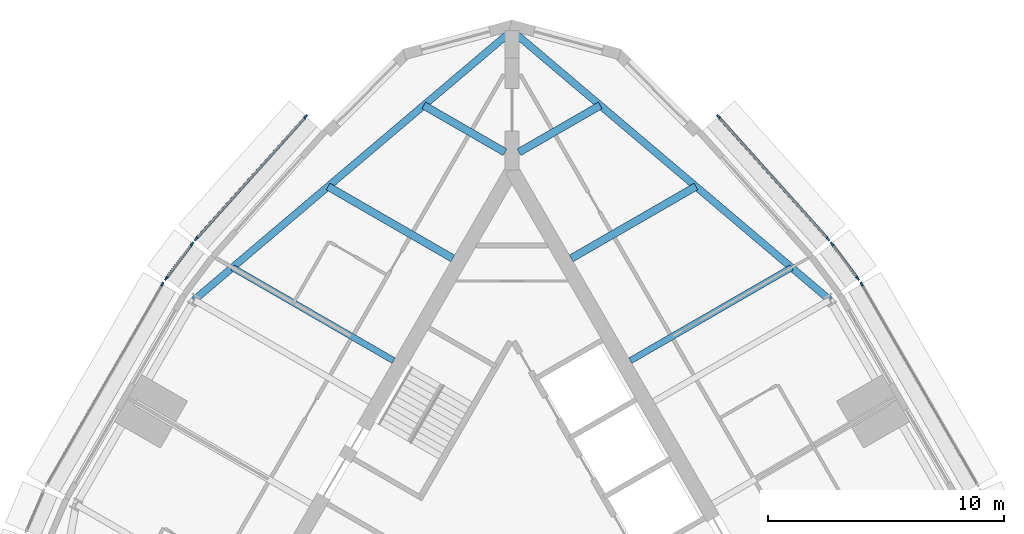
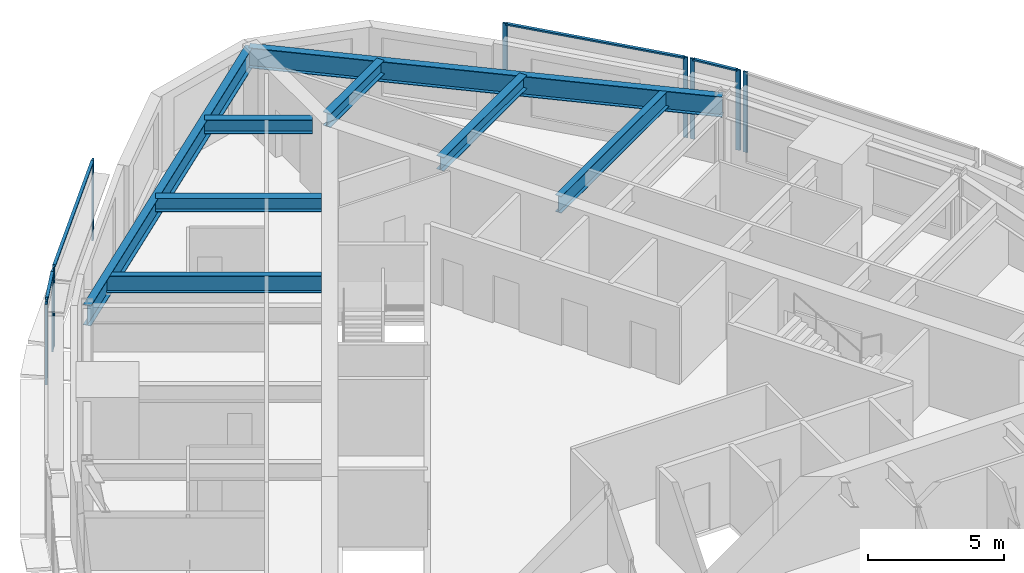
# One storey, part 5 of 12: 14 members, 8 beams, 6 elements without a shape of their own.
"""IFC4 building model written with IfcOpenShell, lengths in metres."""

from ifc_helpers import new_model, si_unit, direction, frame, origin, origin_2d, place, context, subcontext, project, spatial, rectangle, i_section, extrude, material, material_profile, profile_set, type_object, element, aggregate, save


model = new_model("IFC4")

# Units and contexts
model_context = context("Model", 3, precision=1e-05, world=origin(), true_north=direction((0.0, 1.0)))
body_context = subcontext(model_context, "Body", "Model", "MODEL_VIEW")
ifc_project = project(units=[si_unit("LENGTHUNIT", "METRE"), si_unit("AREAUNIT", "SQUARE_METRE"), si_unit("VOLUMEUNIT", "CUBIC_METRE"), si_unit("PLANEANGLEUNIT", "RADIAN"), si_unit("MASSUNIT", "GRAM", prefix="KILO")], contexts=[model_context])

# Site, building, storey
site_placement = place(None, origin())
site = spatial("IfcSite", under=ifc_project, at=site_placement, CompositionType="ELEMENT")
building_placement = place(site_placement, origin())
building = spatial("IfcBuilding", under=site, at=building_placement, Name="Trikona Tower", CompositionType="ELEMENT")
storey_placement = place(building_placement, frame((0.0, 0.0, 257.300048828125)))
storey = spatial("IfcBuildingStorey", under=building, at=storey_placement, Name="L68", CompositionType="ELEMENT", Elevation=257.300048828125)

# Curtain wall, member
ifc_material_1 = material(Name="Aluminium curtain wall system", Category="aluminium")
curtain_wall_type = type_object("IfcCurtainWallType", Name="Curtain wall DS3", PredefinedType="NOTDEFINED", material=ifc_material_1)
curtain_wall_1_placement = place(storey_placement, origin())
curtain_wall_1 = element("IfcCurtainWall", 1, at=curtain_wall_1_placement, inside=storey, type_object=curtain_wall_type, Name="Curtain wall DS3 L68", PredefinedType="NOTDEFINED")
ifc_material_2 = material(Name="Aluminium mullion, pale anodised", Category="aluminium")
ifc_material_profile_1 = material_profile(ifc_material_2, rectangle(XDim=0.070068359375, YDim=0.179931640625, at=origin_2d()), Name="MUL-DS3")
ifc_profile_set_1 = profile_set([ifc_material_profile_1], Name="Aluminium mullion, pale anodised")
member_type_1 = type_object("IfcMemberType", Name="Mullion DS3 70x180", PredefinedType="MULLION", material=ifc_profile_set_1)
member_1_placement = place(storey_placement, frame((14.807861328125, 14.213134765625, 0.0), z_axis=(0.0, 0.0, 1.0), x_axis=(-0.866024619633, -0.500001358187, 0.0)))
member_1 = element("IfcMember", 2, at=member_1_placement, type_object=member_type_1, Name="CW-DS3 mullion 2", PredefinedType="MULLION", context=body_context, shape_type="SweptSolid", body=[
    extrude(rectangle(XDim=0.070068359375, YDim=0.179931640625, at=origin_2d()), origin(), (0.0, 0.0, 1.0), 3.599853515625),
])
aggregate(curtain_wall_1, [member_1])

# Curtain wall, members
curtain_wall_2_placement = place(storey_placement, origin())
curtain_wall_2 = element("IfcCurtainWall", 3, at=curtain_wall_2_placement, inside=storey, type_object=curtain_wall_type, Name="Curtain wall DS3 L68", PredefinedType="NOTDEFINED")
member_2_placement = place(storey_placement, frame((14.644287109375, 14.461181640625, 0.0), z_axis=(0.0, 0.0, 1.0), x_axis=(-0.800259657055, -0.599653634435, 0.0)))
member_2 = element("IfcMember", 4, at=member_2_placement, type_object=member_type_1, Name="CW-DS3 mullion 1", PredefinedType="MULLION", context=body_context, shape_type="SweptSolid", body=[
    extrude(rectangle(XDim=0.070068359375, YDim=0.179931640625, at=origin_2d()), origin(), (0.0, 0.0, 1.0), 3.599853515625),
])
member_3_placement = place(storey_placement, frame((13.55029296875, 15.9208984375, 0.0), z_axis=(0.0, 0.0, 1.0), x_axis=(-0.800259657055, -0.599653634435, 0.0)))
member_3 = element("IfcMember", 5, at=member_3_placement, type_object=member_type_1, Name="CW-DS3 mullion 2", PredefinedType="MULLION", context=body_context, shape_type="SweptSolid", body=[
    extrude(rectangle(XDim=0.070068359375, YDim=0.179931640625, at=origin_2d()), origin(), (0.0, 0.0, 1.0), 3.599853515625),
])

curtain_wall_3_placement = place(storey_placement, origin())
curtain_wall_3 = element("IfcCurtainWall", 6, at=curtain_wall_3_placement, inside=storey, type_object=curtain_wall_type, Name="Curtain wall DS3 L68", PredefinedType="NOTDEFINED")
member_4_placement = place(storey_placement, frame((13.380126953125, 16.128662109375, 0.0), z_axis=(0.0, 0.0, 1.0), x_axis=(-0.744771436797, -0.667319643748, 0.0)))
member_4 = element("IfcMember", 7, at=member_4_placement, type_object=member_type_1, Name="CW-DS3 mullion 1", PredefinedType="MULLION", context=body_context, shape_type="SweptSolid", body=[
    extrude(rectangle(XDim=0.070068359375, YDim=0.179931640625, at=origin_2d()), origin(), (0.0, 0.0, 1.0), 3.599853515625),
])
member_5_placement = place(storey_placement, frame((8.733642578125, 21.314453125, 0.0), z_axis=(0.0, 0.0, 1.0), x_axis=(-0.744771436797, -0.667319643748, 0.0)))
member_5 = element("IfcMember", 8, at=member_5_placement, type_object=member_type_1, Name="CW-DS3 mullion 2", PredefinedType="MULLION", context=body_context, shape_type="SweptSolid", body=[
    extrude(rectangle(XDim=0.070068359375, YDim=0.179931640625, at=origin_2d()), origin(), (0.0, 0.0, 1.0), 3.599853515625),
])

curtain_wall_4_placement = place(storey_placement, origin())
curtain_wall_4 = element("IfcCurtainWall", 9, at=curtain_wall_4_placement, inside=storey, type_object=curtain_wall_type, Name="Curtain wall DS3 L68", PredefinedType="NOTDEFINED")
member_6_placement = place(storey_placement, frame((-8.733642578125, 21.314453125, 0.0), z_axis=(0.0, 0.0, 1.0), x_axis=(0.744771436797, -0.667319643748, 0.0)))
member_6 = element("IfcMember", 10, at=member_6_placement, type_object=member_type_1, Name="CW-DS3 mullion 1", PredefinedType="MULLION", context=body_context, shape_type="SweptSolid", body=[
    extrude(rectangle(XDim=0.070068359375, YDim=0.179931640625, at=origin_2d()), origin(), (0.0, 0.0, 1.0), 3.599853515625),
])
member_7_placement = place(storey_placement, frame((-13.380126953125, 16.128662109375, 0.0), z_axis=(0.0, 0.0, 1.0), x_axis=(0.744771436797, -0.667319643748, 0.0)))
member_7 = element("IfcMember", 11, at=member_7_placement, type_object=member_type_1, Name="CW-DS3 mullion 2", PredefinedType="MULLION", context=body_context, shape_type="SweptSolid", body=[
    extrude(rectangle(XDim=0.070068359375, YDim=0.179931640625, at=origin_2d()), origin(), (0.0, 0.0, 1.0), 3.599853515625),
])

curtain_wall_5_placement = place(storey_placement, origin())
curtain_wall_5 = element("IfcCurtainWall", 12, at=curtain_wall_5_placement, inside=storey, type_object=curtain_wall_type, Name="Curtain wall DS3 L68", PredefinedType="NOTDEFINED")
member_8_placement = place(storey_placement, frame((-13.55029296875, 15.9208984375, 0.0), z_axis=(0.0, 0.0, 1.0), x_axis=(0.800259657055, -0.599653634435, 0.0)))
member_8 = element("IfcMember", 13, at=member_8_placement, type_object=member_type_1, Name="CW-DS3 mullion 1", PredefinedType="MULLION", context=body_context, shape_type="SweptSolid", body=[
    extrude(rectangle(XDim=0.070068359375, YDim=0.179931640625, at=origin_2d()), origin(), (0.0, 0.0, 1.0), 3.599853515625),
])
member_9_placement = place(storey_placement, frame((-14.644287109375, 14.461181640625, 0.0), z_axis=(0.0, 0.0, 1.0), x_axis=(0.800259657055, -0.599653634435, 0.0)))
member_9 = element("IfcMember", 14, at=member_9_placement, type_object=member_type_1, Name="CW-DS3 mullion 2", PredefinedType="MULLION", context=body_context, shape_type="SweptSolid", body=[
    extrude(rectangle(XDim=0.070068359375, YDim=0.179931640625, at=origin_2d()), origin(), (0.0, 0.0, 1.0), 3.599853515625),
])

# Curtain wall, member
curtain_wall_6_placement = place(storey_placement, origin())
curtain_wall_6 = element("IfcCurtainWall", 15, at=curtain_wall_6_placement, inside=storey, type_object=curtain_wall_type, Name="Curtain wall DS3 L68", PredefinedType="NOTDEFINED")
member_10_placement = place(storey_placement, frame((-14.807861328125, 14.213134765625, 0.0), z_axis=(0.0, 0.0, 1.0), x_axis=(0.866024619633, -0.500001358187, 0.0)))
member_10 = element("IfcMember", 16, at=member_10_placement, type_object=member_type_1, Name="CW-DS3 mullion 1", PredefinedType="MULLION", context=body_context, shape_type="SweptSolid", body=[
    extrude(rectangle(XDim=0.070068359375, YDim=0.179931640625, at=origin_2d()), origin(), (0.0, 0.0, 1.0), 3.599853515625),
])
aggregate(curtain_wall_6, [member_10])

# Beams
ifc_material_3 = material(Name="Steel ASTM A992 Grade 50", Category="steel")
ifc_material_profile_2 = material_profile(ifc_material_3, i_section(OverallWidth=0.3251953125, OverallDepth=0.612060546875, WebThickness=0.0126953125, FlangeThickness=0.01904296875, at=origin_2d()), Name="W24X104")
ifc_profile_set_2 = profile_set([ifc_material_profile_2], Name="Steel ASTM A992 Grade 50")
beam_type_1 = type_object("IfcBeamType", Name="Steel beam W24x104 (wedge upper)", PredefinedType="BEAM", material=ifc_profile_set_2)
beam_1_placement = place(storey_placement, frame((2.509765625, 15.305419921875, 3.12890625), z_axis=(0.866023498866, 0.500003299401, 0.0), x_axis=(-0.500003299401, 0.866023498866, 0.0)))
element("IfcBeam", 17, at=beam_1_placement, inside=storey, type_object=beam_type_1, Name="Floor beam L69 F2 u12", PredefinedType="BEAM", context=body_context, shape_type="SweptSolid", body=[
    extrude(i_section(OverallWidth=0.3251953125, OverallDepth=0.612060546875, WebThickness=0.0126953125, FlangeThickness=0.01904296875, at=origin_2d()), origin(), (0.0, 0.0, 1.0), 6.09521484375),
])
for number, where, z_axis, x_axis, name in (
    (18, (0.300048828125, 19.802978515625, 3.12890625), (0.866004223388, 0.500036683728, 0.0), (-0.500036683728, 0.866004223388, 0.0), "Floor beam L69 F2 u17"),
    (19, (-0.300048828125, 19.802978515625, 3.12890625), (-0.866004223388, 0.500036683728, 0.0), (-0.500036683728, -0.866004223388, 0.0), "Floor beam L69 F3 u-17"),
):
    element("IfcBeam", number, at=place(storey_placement, frame(where, z_axis=z_axis, x_axis=x_axis)), inside=storey, type_object=beam_type_1, Name=name, PredefinedType="BEAM", context=body_context, shape_type="SweptSolid", body=[
        extrude(i_section(OverallWidth=0.3251953125, OverallDepth=0.612060546875, WebThickness=0.0126953125, FlangeThickness=0.01904296875, at=origin_2d()), origin(), (0.0, 0.0, 1.0), 3.968017578125),
    ])
beam_2_placement = place(storey_placement, frame((-2.509765625, 15.305419921875, 3.12890625), z_axis=(-0.866023498866, 0.500003299401, 0.0), x_axis=(-0.500003299401, -0.866023498866, 0.0)))
element("IfcBeam", 20, at=beam_2_placement, inside=storey, type_object=beam_type_1, Name="Floor beam L69 F3 u-12", PredefinedType="BEAM", context=body_context, shape_type="SweptSolid", body=[
    extrude(i_section(OverallWidth=0.3251953125, OverallDepth=0.612060546875, WebThickness=0.0126953125, FlangeThickness=0.01904296875, at=origin_2d()), origin(), (0.0, 0.0, 1.0), 6.09521484375),
])
ifc_material_4 = material(Name="Steel ASTM A992 Grade 50", Category="steel")
ifc_material_profile_3 = material_profile(ifc_material_4, i_section(OverallWidth=0.2666015625, OverallDepth=0.7568359375, WebThickness=0.013916015625, FlangeThickness=0.019287109375, at=origin_2d()), Name="W30X108")
ifc_profile_set_3 = profile_set([ifc_material_profile_3], Name="Steel ASTM A992 Grade 50")
beam_type_2 = type_object("IfcBeamType", Name="Steel beam W30x108 (radial upper)", PredefinedType="BEAM", material=ifc_profile_set_3)
for number, where, z_axis, x_axis, name in (
    (21, (5.009765625, 10.975341796875, 3.056396484375), (0.866034560358, 0.499984140014, 0.0), (-0.499984140014, 0.866034560358, 0.0), "Floor beam L69 F2 u7"),
    (22, (-5.009765625, 10.975341796875, 3.056396484375), (-0.866034560358, 0.499984140014, 0.0), (-0.499984140014, -0.866034560358, 0.0), "Floor beam L69 F3 u-7"),
):
    element("IfcBeam", number, at=place(storey_placement, frame(where, z_axis=z_axis, x_axis=x_axis)), inside=storey, type_object=beam_type_2, Name=name, PredefinedType="BEAM", context=body_context, shape_type="SweptSolid", body=[
        extrude(i_section(OverallWidth=0.2666015625, OverallDepth=0.7568359375, WebThickness=0.013916015625, FlangeThickness=0.019287109375, at=origin_2d()), origin(), (0.0, 0.0, 1.0), 7.887451171875),
    ])
ifc_material_5 = material(Name="Steel ASTM A992 Grade 50", Category="steel")
ifc_material_profile_4 = material_profile(ifc_material_5, i_section(OverallWidth=0.3046875, OverallDepth=0.911865234375, WebThickness=0.015869140625, FlangeThickness=0.02392578125, at=origin_2d()), Name="W36X150")
ifc_profile_set_4 = profile_set([ifc_material_profile_4], Name="Steel ASTM A992 Grade 50")
beam_type_3 = type_object("IfcBeamType", Name="Steel beam W36x150 (spandrel upper)", PredefinedType="SPANDREL", material=ifc_profile_set_4)
for number, where, z_axis, x_axis, name in (
    (23, (13.461181640625, 13.54541015625, 2.97900390625), (-0.762890626803, 0.646527564405, 0.0), (-0.646527564405, -0.762890626803, 0.0), "Spandrel beam L69 F2-3"),
    (24, (0.0, 24.953369140625, 2.97900390625), (-0.762890626803, -0.646527564405, 0.0), (0.646527564405, -0.762890626803, 0.0), "Spandrel beam L69 F3-1"),
):
    element("IfcBeam", number, at=place(storey_placement, frame(where, z_axis=z_axis, x_axis=x_axis)), inside=storey, type_object=beam_type_3, Name=name, PredefinedType="SPANDREL", context=body_context, shape_type="SweptSolid", body=[
        extrude(i_section(OverallWidth=0.3046875, OverallDepth=0.911865234375, WebThickness=0.015869140625, FlangeThickness=0.02392578125, at=origin_2d()), origin(), (0.0, 0.0, 1.0), 17.64501953125),
    ])

# Member
ifc_material_6 = material(Name="Aluminium transom, pale anodised", Category="aluminium")
ifc_material_profile_5 = material_profile(ifc_material_6, rectangle(XDim=0.1201171875, YDim=0.070068359375, at=origin_2d()), Name="TRN-DS3")
ifc_profile_set_5 = profile_set([ifc_material_profile_5], Name="Aluminium transom, pale anodised")
member_type_2 = type_object("IfcMemberType", Name="Transom DS3 70x120", PredefinedType="USERDEFINED", material=ifc_profile_set_5)
member_11_placement = place(storey_placement, frame((14.623291015625, 14.489013671875, 3.56494140625), z_axis=(-0.599621429645, 0.80028378786, 0.0), x_axis=(-0.80028378786, -0.599621429645, 0.0)))
member_11 = element("IfcMember", 25, at=member_11_placement, type_object=member_type_2, Name="CW-DS3 transom 1.1", ObjectType="TRANSOM", PredefinedType="USERDEFINED", context=body_context, shape_type="SweptSolid", body=[
    extrude(rectangle(XDim=0.1201171875, YDim=0.070068359375, at=origin_2d()), origin(), (0.0, 0.0, 1.0), 1.75439453125),
])

aggregate(curtain_wall_2, [member_2, member_3, member_11])

member_12_placement = place(storey_placement, frame((13.356689453125, 16.15478515625, 3.56494140625), z_axis=(-0.667313410703, 0.744777021595, 0.0), x_axis=(-0.744777021595, -0.667313410703, 0.0)))
member_12 = element("IfcMember", 26, at=member_12_placement, type_object=member_type_2, Name="CW-DS3 transom 1.1", ObjectType="TRANSOM", PredefinedType="USERDEFINED", context=body_context, shape_type="SweptSolid", body=[
    extrude(rectangle(XDim=0.1201171875, YDim=0.070068359375, at=origin_2d()), origin(), (0.0, 0.0, 1.0), 6.892822265625),
])

aggregate(curtain_wall_3, [member_4, member_5, member_12])

member_13_placement = place(storey_placement, frame((-8.757080078125, 21.288330078125, 3.56494140625), z_axis=(-0.667313410703, -0.744777021595, 0.0), x_axis=(0.744777021595, -0.667313410703, 0.0)))
member_13 = element("IfcMember", 27, at=member_13_placement, type_object=member_type_2, Name="CW-DS3 transom 1.1", ObjectType="TRANSOM", PredefinedType="USERDEFINED", context=body_context, shape_type="SweptSolid", body=[
    extrude(rectangle(XDim=0.1201171875, YDim=0.070068359375, at=origin_2d()), origin(), (0.0, 0.0, 1.0), 6.892822265625),
])

aggregate(curtain_wall_4, [member_6, member_7, member_13])

member_14_placement = place(storey_placement, frame((-13.5712890625, 15.89306640625, 3.56494140625), z_axis=(-0.599621429645, -0.80028378786, 0.0), x_axis=(0.80028378786, -0.599621429645, 0.0)))
member_14 = element("IfcMember", 28, at=member_14_placement, type_object=member_type_2, Name="CW-DS3 transom 1.1", ObjectType="TRANSOM", PredefinedType="USERDEFINED", context=body_context, shape_type="SweptSolid", body=[
    extrude(rectangle(XDim=0.1201171875, YDim=0.070068359375, at=origin_2d()), origin(), (0.0, 0.0, 1.0), 1.75439453125),
])

aggregate(curtain_wall_5, [member_8, member_9, member_14])

save(model, "model.ifc")
